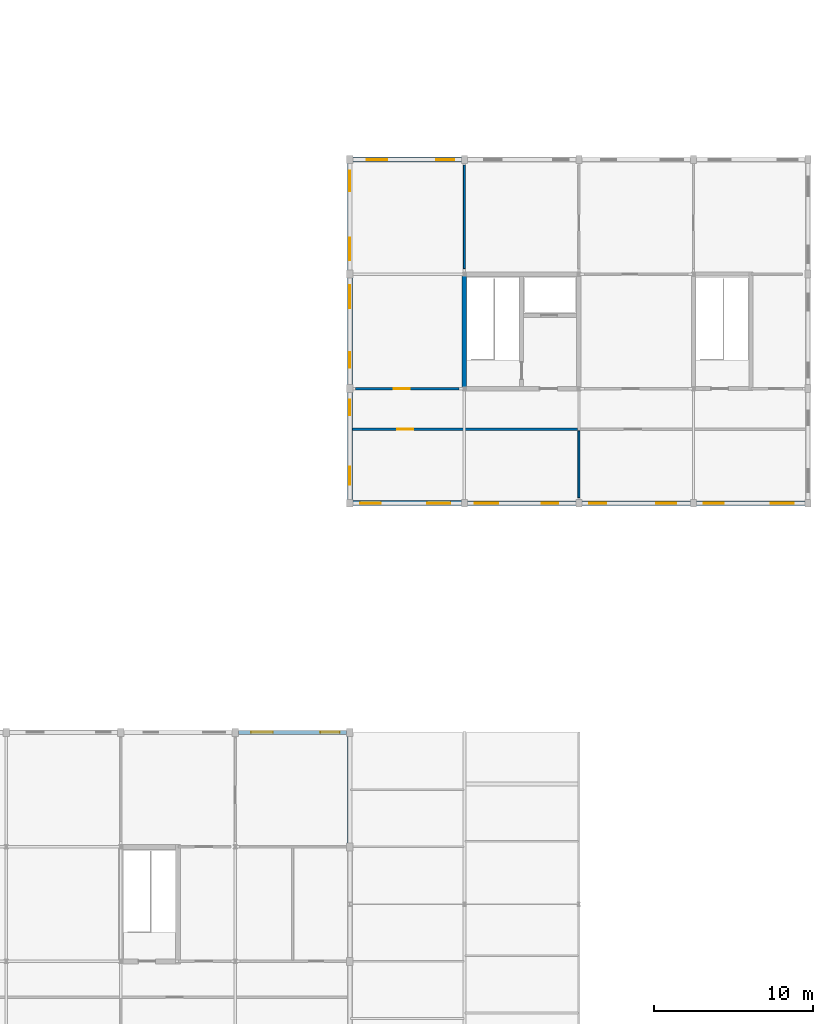
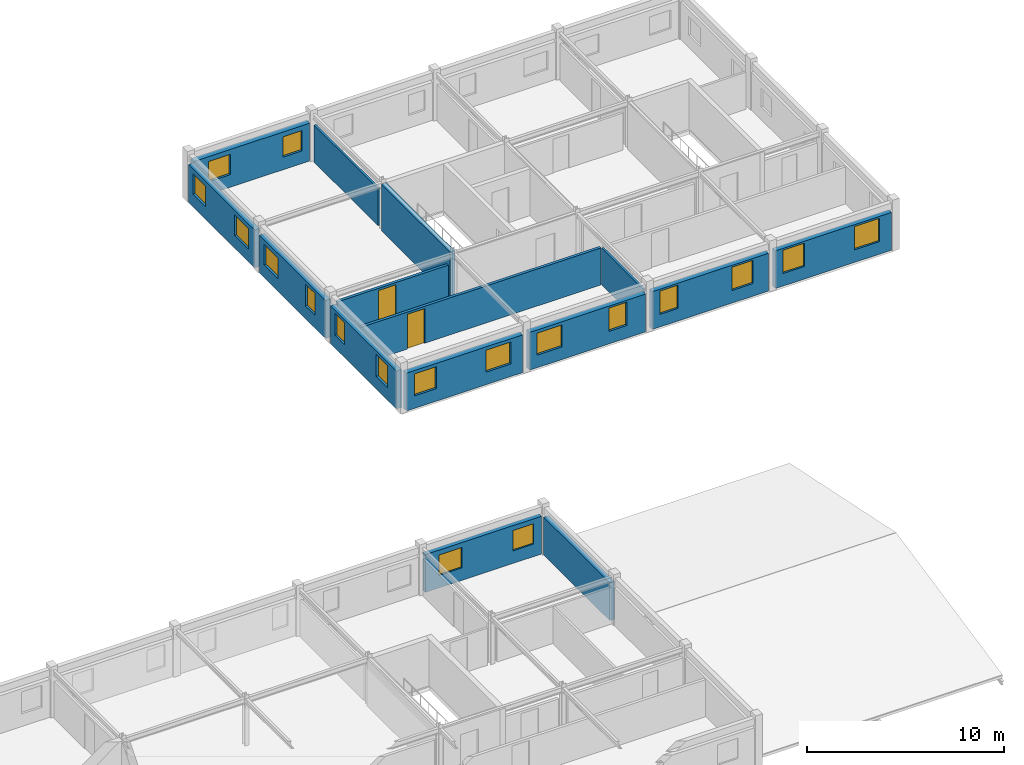
# One storey, part 22 of 50: 18 windows, 15 walls, 2 doors, 20 openings.
"""IFC4 building model written with IfcOpenShell, lengths in metres."""

from ifc_helpers import new_model, si_unit, direction, frame, frame_2d, origin, place, context, subcontext, project, spatial, rectangle, extrude, material, layer, layer_set, type_object, element, fill, save


model = new_model("IFC4")

# Units and contexts
model_context = context("Model", 3, precision=1e-05, world=origin(), true_north=direction((0.0, 1.0)))
body_context = subcontext(model_context, "Body", "Model", "MODEL_VIEW")
ifc_project = project(units=[si_unit("LENGTHUNIT", "METRE"), si_unit("AREAUNIT", "SQUARE_METRE"), si_unit("VOLUMEUNIT", "CUBIC_METRE"), si_unit("PLANEANGLEUNIT", "RADIAN"), si_unit("MASSUNIT", "GRAM", prefix="KILO"), si_unit("THERMODYNAMICTEMPERATUREUNIT", "KELVIN"), si_unit("POWERUNIT", "WATT")], contexts=[model_context])

# Site, building, storey
site_placement = place(None, origin())
site = spatial("IfcSite", under=ifc_project, at=site_placement, CompositionType="ELEMENT")
building_placement = place(site_placement, origin())
building = spatial("IfcBuilding", under=site, at=building_placement, Name="Tavuni Mirador Residences", CompositionType="ELEMENT")
storey_placement = place(building_placement, frame((0.0, 0.0, 4.5)))
storey = spatial("IfcBuildingStorey", under=building, at=storey_placement, Name="L01", CompositionType="ELEMENT", Elevation=4.5)

# Wall
ifc_material_1 = material(Name="Precast concrete C40/50", Category="concrete")
ifc_layer_1 = layer(ifc_material_1, 0.280029296875, Name="Precast concrete C40/50", Category="concrete")
ifc_layer_set_1 = layer_set([ifc_layer_1], Name="Precast concrete C40/50")
wall_type_1 = type_object("IfcWallType", Name="WT-COR280", PredefinedType="SHEAR", material=ifc_layer_set_1)
wall_1_placement = place(storey_placement, frame((97.199951171875, 50.52001953125, 0.0), z_axis=(0.0, 0.0, 1.0), x_axis=(0.0, 1.0, 0.0)))
element("IfcWall", 1, at=wall_1_placement, inside=storey, type_object=wall_type_1, Name="CWALL-CN1-L01-W", PredefinedType="SHEAR", context=body_context, shape_type="SweptSolid", body=[
    extrude(rectangle(XDim=6.9599609375, YDim=0.280029296875, at=frame_2d((3.47998046875, 0.0))), origin(), (0.0, 0.0, 1.0), 2.889892578125),
])

# Wall, opening, door
ifc_layer_2 = layer(ifc_material_1, 0.1650390625, Name="Precast concrete C40/50", Category="concrete")
ifc_layer_set_2 = layer_set([ifc_layer_2], Name="Precast concrete C40/50")
wall_type_2 = type_object("IfcWallType", Name="WT-CORR165", PredefinedType="PARTITIONING", material=ifc_layer_set_2)
wall_2_placement = place(storey_placement, frame((90.175048828125, 47.85009765625, 0.0), z_axis=(0.0, 0.0, 1.0), x_axis=(1.0, 0.0, 0.0)))
wall_2 = element("IfcWall", 2, at=wall_2_placement, inside=storey, type_object=wall_type_2, Name="PW-NURS-L01-CS1", PredefinedType="PARTITIONING", context=body_context, shape_type="SweptSolid", body=[
    extrude(rectangle(XDim=14.14501953125, YDim=0.1650390625, at=frame_2d((7.072509765625, 0.0))), origin(), (0.0, 0.0, 1.0), 2.2900390625),
])
opening_1_placement = place(wall_2_placement, frame((2.800048828125, 0.0, 0.0)))
opening_1 = element("IfcOpeningElement", 3, at=opening_1_placement, cuts=wall_2, Name="Opening D-13", PredefinedType="OPENING", context=body_context, shape_type="SweptSolid", body=[
    extrude(rectangle(XDim=1.02001953125, YDim=2.14990234375, at=frame_2d((0.510009765625, 1.074951171875))), frame((0.0, 0.092529296875, 0.0), z_axis=(0.0, -1.0, 0.0), x_axis=(1.0, 0.0, 0.0)), (0.0, 0.0, 1.0), 0.18505859375),
])
ifc_material_2 = material(Name="Solid core iroko timber", Category="wood")
door_type = type_object("IfcDoorType", Name="DT-MTG1020", OperationType="NOTDEFINED", PredefinedType="DOOR", material=ifc_material_2)
door_1_placement = place(opening_1_placement, origin())
door_1 = element("IfcDoor", 4, at=door_1_placement, inside=storey, type_object=door_type, Name="DR-4803", OperationType="SINGLE_SWING_RIGHT", OverallHeight=2.14990234375, OverallWidth=1.02001953125, PredefinedType="DOOR", context=body_context, shape_type="SweptSolid", body=[
    extrude(rectangle(XDim=1.02001953125, YDim=2.14990234375, at=frame_2d((0.510009765625, 1.074951171875))), frame((0.0, 0.02490234375, 0.0), z_axis=(0.0, -1.0, 0.0), x_axis=(1.0, 0.0, 0.0)), (0.0, 0.0, 1.0), 0.050048828125),
])
fill(opening_1, door_1)

wall_3_placement = place(storey_placement, frame((90.35009765625, 50.39990234375, 0.0), z_axis=(0.0, 0.0, 1.0), x_axis=(1.0, 0.0, 0.0)))
wall_3 = element("IfcWall", 5, at=wall_3_placement, inside=storey, type_object=wall_type_2, Name="PW-NURS-L01-CN1", PredefinedType="PARTITIONING", context=body_context, shape_type="SweptSolid", body=[
    extrude(rectangle(XDim=6.5, YDim=0.1650390625, at=frame_2d((3.25, 0.0))), origin(), (0.0, 0.0, 1.0), 2.2900390625),
])
opening_2_placement = place(wall_3_placement, frame((2.39990234375, 0.0, 0.0)))
opening_2 = element("IfcOpeningElement", 6, at=opening_2_placement, cuts=wall_3, Name="Opening D-13", PredefinedType="OPENING", context=body_context, shape_type="SweptSolid", body=[
    extrude(rectangle(XDim=1.02001953125, YDim=2.14990234375, at=frame_2d((0.510009765625, 1.074951171875))), frame((0.0, 0.092529296875, 0.0), z_axis=(0.0, -1.0, 0.0), x_axis=(1.0, 0.0, 0.0)), (0.0, 0.0, 1.0), 0.18505859375),
])
door_2_placement = place(opening_2_placement, origin())
door_2 = element("IfcDoor", 7, at=door_2_placement, inside=storey, type_object=door_type, Name="DR-4805", OperationType="SINGLE_SWING_RIGHT", OverallHeight=2.14990234375, OverallWidth=1.02001953125, PredefinedType="DOOR", context=body_context, shape_type="SweptSolid", body=[
    extrude(rectangle(XDim=1.02001953125, YDim=2.14990234375, at=frame_2d((0.510009765625, 1.074951171875))), frame((0.0, 0.02490234375, 0.0), z_axis=(0.0, -1.0, 0.0), x_axis=(1.0, 0.0, 0.0)), (0.0, 0.0, 1.0), 0.050048828125),
])
fill(opening_2, door_2)

# Wall, openings, windows
ifc_material_3 = material(Name="Sgraffito lime-rendered precast concrete C40/50", Category="concrete")
ifc_layer_3 = layer(ifc_material_3, 0.2451171875, Name="Sgraffito lime-rendered precast concrete C40/50", Category="concrete")
ifc_layer_set_3 = layer_set([ifc_layer_3], Name="Sgraffito lime-rendered precast concrete C40/50")
wall_type_3 = type_object("IfcWallType", Name="WT-EXT-PC245", PredefinedType="SOLIDWALL", material=ifc_layer_set_3)
wall_4_placement = place(storey_placement, frame((89.800048828125, 28.800048828125, 0.0), z_axis=(0.0, 0.0, 1.0), x_axis=(-1.0, 0.0, 0.0)))
wall_4 = element("IfcWall", 8, at=wall_4_placement, inside=storey, type_object=wall_type_3, Name="EW-PAV-SHOP-L01-N05", PredefinedType="SOLIDWALL", context=body_context, shape_type="SweptSolid", body=[
    extrude(rectangle(XDim=6.800048828125, YDim=0.2451171875, at=frame_2d((3.39990234375, 0.0))), origin(), (0.0, 0.0, 1.0), 2.340087890625),
])
opening_3_placement = place(wall_4_placement, frame((0.449951171875, 0.0, 0.780029296875)))
opening_3 = element("IfcOpeningElement", 9, at=opening_3_placement, cuts=wall_4, Name="Opening WN-13", PredefinedType="OPENING", context=body_context, shape_type="SweptSolid", body=[
    extrude(rectangle(XDim=1.199951171875, YDim=1.260009765625, at=frame_2d((0.60009765625, 0.6298828125))), frame((0.0, 0.132568359375, 0.0), z_axis=(0.0, -1.0, 0.0), x_axis=(1.0, 0.0, 0.0)), (0.0, 0.0, 1.0), 0.26513671875),
])
opening_4_placement = place(wall_4_placement, frame((4.64990234375, 0.0, 0.780029296875)))
opening_4 = element("IfcOpeningElement", 10, at=opening_4_placement, cuts=wall_4, Name="Opening WN-15", PredefinedType="OPENING", context=body_context, shape_type="SweptSolid", body=[
    extrude(rectangle(XDim=1.360107421875, YDim=1.260009765625, at=frame_2d((0.68017578125, 0.6298828125))), frame((0.0, 0.132568359375, 0.0), z_axis=(0.0, -1.0, 0.0), x_axis=(1.0, 0.0, 0.0)), (0.0, 0.0, 1.0), 0.26513671875),
])
ifc_material_4 = material(Name="Laminated solar-control glass", Category="glass")
window_type_1 = type_object("IfcWindowType", Name="WNT-13", PartitioningType="SINGLE_PANEL", PredefinedType="WINDOW", material=ifc_material_4)
window_1_placement = place(opening_3_placement, origin())
window_1 = element("IfcWindow", 11, at=window_1_placement, inside=storey, type_object=window_type_1, Name="WIN-1901", OverallHeight=1.260009765625, OverallWidth=1.199951171875, PartitioningType="SINGLE_PANEL", PredefinedType="WINDOW", context=body_context, shape_type="SweptSolid", body=[
    extrude(rectangle(XDim=1.199951171875, YDim=1.260009765625, at=frame_2d((0.60009765625, 0.6298828125))), frame((0.0, 0.030029296875, 0.0), z_axis=(0.0, -1.0, 0.0), x_axis=(1.0, 0.0, 0.0)), (0.0, 0.0, 1.0), 0.06005859375),
])
fill(opening_3, window_1)
window_type_2 = type_object("IfcWindowType", Name="WNT-15", PartitioningType="SINGLE_PANEL", PredefinedType="WINDOW", material=ifc_material_4)
window_2_placement = place(opening_4_placement, origin())
window_2 = element("IfcWindow", 12, at=window_2_placement, inside=storey, type_object=window_type_2, Name="WIN-1902", OverallHeight=1.260009765625, OverallWidth=1.360107421875, PartitioningType="SINGLE_PANEL", PredefinedType="WINDOW", context=body_context, shape_type="SweptSolid", body=[
    extrude(rectangle(XDim=1.360107421875, YDim=1.260009765625, at=frame_2d((0.68017578125, 0.6298828125))), frame((0.0, 0.030029296875, 0.0), z_axis=(0.0, -1.0, 0.0), x_axis=(1.0, 0.0, 0.0)), (0.0, 0.0, 1.0), 0.06005859375),
])
fill(opening_4, window_2)

ifc_layer_4 = layer(ifc_material_3, 0.27490234375, Name="Sgraffito lime-rendered precast concrete C40/50", Category="concrete")
ifc_layer_set_4 = layer_set([ifc_layer_4], Name="Sgraffito lime-rendered precast concrete C40/50")
wall_type_4 = type_object("IfcWallType", Name="WT-EXT-PC275", PredefinedType="SOLIDWALL", material=ifc_layer_set_4)
wall_5_placement = place(storey_placement, frame((111.800048828125, 43.199951171875, 0.0), z_axis=(0.0, 0.0, 1.0), x_axis=(1.0, 0.0, 0.0)))
wall_5 = element("IfcWall", 13, at=wall_5_placement, inside=storey, type_object=wall_type_4, Name="EW-PAV-NURS-L01-S03", PredefinedType="SOLIDWALL", context=body_context, shape_type="SweptSolid", body=[
    extrude(rectangle(XDim=6.800048828125, YDim=0.27490234375, at=frame_2d((3.39990234375, 0.0))), origin(), (0.0, 0.0, 1.0), 2.340087890625),
])
opening_5_placement = place(wall_5_placement, frame((0.449951171875, 0.0, 0.780029296875)))
opening_5 = element("IfcOpeningElement", 14, at=opening_5_placement, cuts=wall_5, Name="Opening WN-28", PredefinedType="OPENING", context=body_context, shape_type="SweptSolid", body=[
    extrude(rectangle(XDim=1.25, YDim=1.43994140625, at=frame_2d((0.625, 0.719970703125))), frame((0.0, 0.1474609375, 0.0), z_axis=(0.0, -1.0, 0.0), x_axis=(1.0, 0.0, 0.0)), (0.0, 0.0, 1.0), 0.294921875),
])
opening_6_placement = place(wall_5_placement, frame((4.64990234375, 0.0, 0.780029296875)))
opening_6 = element("IfcOpeningElement", 15, at=opening_6_placement, cuts=wall_5, Name="Opening WN-30", PredefinedType="OPENING", context=body_context, shape_type="SweptSolid", body=[
    extrude(rectangle(XDim=1.449951171875, YDim=1.43994140625, at=frame_2d((0.72509765625, 0.719970703125))), frame((0.0, 0.1474609375, 0.0), z_axis=(0.0, -1.0, 0.0), x_axis=(1.0, 0.0, 0.0)), (0.0, 0.0, 1.0), 0.294921875),
])
window_type_3 = type_object("IfcWindowType", Name="WNT-28", PartitioningType="SINGLE_PANEL", PredefinedType="WINDOW", material=ifc_material_4)
window_3_placement = place(opening_5_placement, origin())
window_3 = element("IfcWindow", 16, at=window_3_placement, inside=storey, type_object=window_type_3, Name="WIN-1856", OverallHeight=1.43994140625, OverallWidth=1.25, PartitioningType="SINGLE_PANEL", PredefinedType="WINDOW", context=body_context, shape_type="SweptSolid", body=[
    extrude(rectangle(XDim=1.25, YDim=1.43994140625, at=frame_2d((0.625, 0.719970703125))), frame((0.0, 0.030029296875, 0.0), z_axis=(0.0, -1.0, 0.0), x_axis=(1.0, 0.0, 0.0)), (0.0, 0.0, 1.0), 0.06005859375),
])
fill(opening_5, window_3)
window_type_4 = type_object("IfcWindowType", Name="WNT-30", PartitioningType="SINGLE_PANEL", PredefinedType="WINDOW", material=ifc_material_4)
window_4_placement = place(opening_6_placement, origin())
window_4 = element("IfcWindow", 17, at=window_4_placement, inside=storey, type_object=window_type_4, Name="WIN-1857", OverallHeight=1.43994140625, OverallWidth=1.449951171875, PartitioningType="SINGLE_PANEL", PredefinedType="WINDOW", context=body_context, shape_type="SweptSolid", body=[
    extrude(rectangle(XDim=1.449951171875, YDim=1.43994140625, at=frame_2d((0.72509765625, 0.719970703125))), frame((0.0, 0.030029296875, 0.0), z_axis=(0.0, -1.0, 0.0), x_axis=(1.0, 0.0, 0.0)), (0.0, 0.0, 1.0), 0.06005859375),
])
fill(opening_6, window_4)

ifc_layer_5 = layer(ifc_material_3, 0.2900390625, Name="Sgraffito lime-rendered precast concrete C40/50", Category="concrete")
ifc_layer_set_5 = layer_set([ifc_layer_5], Name="Sgraffito lime-rendered precast concrete C40/50")
wall_type_5 = type_object("IfcWallType", Name="WT-EXT-PC290", PredefinedType="SOLIDWALL", material=ifc_layer_set_5)
wall_6_placement = place(storey_placement, frame((104.60009765625, 43.199951171875, 0.0), z_axis=(0.0, 0.0, 1.0), x_axis=(1.0, 0.0, 0.0)))
wall_6 = element("IfcWall", 18, at=wall_6_placement, inside=storey, type_object=wall_type_5, Name="EW-PAV-NURS-L01-S02", PredefinedType="SOLIDWALL", context=body_context, shape_type="SweptSolid", body=[
    extrude(rectangle(XDim=6.7998046875, YDim=0.2900390625, at=frame_2d((3.39990234375, 0.0))), origin(), (0.0, 0.0, 1.0), 2.340087890625),
])
opening_7_placement = place(wall_6_placement, frame((0.449951171875, 0.0, 0.780029296875)))
opening_7 = element("IfcOpeningElement", 19, at=opening_7_placement, cuts=wall_6, Name="Opening WN-26", PredefinedType="OPENING", context=body_context, shape_type="SweptSolid", body=[
    extrude(rectangle(XDim=1.050048828125, YDim=1.43994140625, at=frame_2d((0.52490234375, 0.719970703125))), frame((0.0, 0.155029296875, 0.0), z_axis=(0.0, -1.0, 0.0), x_axis=(1.0, 0.0, 0.0)), (0.0, 0.0, 1.0), 0.31005859375),
])
opening_8_placement = place(wall_6_placement, frame((4.64990234375, 0.0, 0.780029296875)))
opening_8 = element("IfcOpeningElement", 20, at=opening_8_placement, cuts=wall_6, Name="Opening WN-28", PredefinedType="OPENING", context=body_context, shape_type="SweptSolid", body=[
    extrude(rectangle(XDim=1.25, YDim=1.43994140625, at=frame_2d((0.625, 0.719970703125))), frame((0.0, 0.155029296875, 0.0), z_axis=(0.0, -1.0, 0.0), x_axis=(1.0, 0.0, 0.0)), (0.0, 0.0, 1.0), 0.31005859375),
])
window_type_5 = type_object("IfcWindowType", Name="WNT-26", PartitioningType="SINGLE_PANEL", PredefinedType="WINDOW", material=ifc_material_4)
window_5_placement = place(opening_7_placement, origin())
window_5 = element("IfcWindow", 21, at=window_5_placement, inside=storey, type_object=window_type_5, Name="WIN-1854", OverallHeight=1.43994140625, OverallWidth=1.050048828125, PartitioningType="SINGLE_PANEL", PredefinedType="WINDOW", context=body_context, shape_type="SweptSolid", body=[
    extrude(rectangle(XDim=1.050048828125, YDim=1.43994140625, at=frame_2d((0.52490234375, 0.719970703125))), frame((0.0, 0.030029296875, 0.0), z_axis=(0.0, -1.0, 0.0), x_axis=(1.0, 0.0, 0.0)), (0.0, 0.0, 1.0), 0.06005859375),
])
fill(opening_7, window_5)
window_6_placement = place(opening_8_placement, origin())
window_6 = element("IfcWindow", 22, at=window_6_placement, inside=storey, type_object=window_type_3, Name="WIN-1855", OverallHeight=1.43994140625, OverallWidth=1.25, PartitioningType="SINGLE_PANEL", PredefinedType="WINDOW", context=body_context, shape_type="SweptSolid", body=[
    extrude(rectangle(XDim=1.25, YDim=1.43994140625, at=frame_2d((0.625, 0.719970703125))), frame((0.0, 0.030029296875, 0.0), z_axis=(0.0, -1.0, 0.0), x_axis=(1.0, 0.0, 0.0)), (0.0, 0.0, 1.0), 0.06005859375),
])
fill(opening_8, window_6)

wall_7_placement = place(storey_placement, frame((90.0, 64.550048828125, 0.0), z_axis=(0.0, 0.0, 1.0), x_axis=(0.0, -1.0, 0.0)))
wall_7 = element("IfcWall", 23, at=wall_7_placement, inside=storey, type_object=wall_type_5, Name="EW-PAV-NURS-L01-W02", PredefinedType="SOLIDWALL", context=body_context, shape_type="SweptSolid", body=[
    extrude(rectangle(XDim=6.699951171875, YDim=0.2900390625, at=frame_2d((3.35009765625, 0.0))), origin(), (0.0, 0.0, 1.0), 2.340087890625),
])
opening_9_placement = place(wall_7_placement, frame((0.449951171875, 0.0, 0.780029296875)))
opening_9 = element("IfcOpeningElement", 24, at=opening_9_placement, cuts=wall_7, Name="Opening WN-14", PredefinedType="OPENING", context=body_context, shape_type="SweptSolid", body=[
    extrude(rectangle(XDim=1.280029296875, YDim=1.260009765625, at=frame_2d((0.64013671875, 0.6298828125))), frame((0.0, 0.155029296875, 0.0), z_axis=(0.0, -1.0, 0.0), x_axis=(1.0, 0.0, 0.0)), (0.0, 0.0, 1.0), 0.31005859375),
])
opening_10_placement = place(wall_7_placement, frame((4.64990234375, 0.0, 0.780029296875)))
opening_10 = element("IfcOpeningElement", 25, at=opening_10_placement, cuts=wall_7, Name="Opening WN-16", PredefinedType="OPENING", context=body_context, shape_type="SweptSolid", body=[
    extrude(rectangle(XDim=1.43994140625, YDim=1.260009765625, at=frame_2d((0.719970703125, 0.6298828125))), frame((0.0, 0.155029296875, 0.0), z_axis=(0.0, -1.0, 0.0), x_axis=(1.0, 0.0, 0.0)), (0.0, 0.0, 1.0), 0.31005859375),
])
window_type_6 = type_object("IfcWindowType", Name="WNT-14", PartitioningType="SINGLE_PANEL", PredefinedType="WINDOW", material=ifc_material_4)
window_7_placement = place(opening_9_placement, origin())
window_7 = element("IfcWindow", 26, at=window_7_placement, inside=storey, type_object=window_type_6, Name="WIN-1872", OverallHeight=1.260009765625, OverallWidth=1.280029296875, PartitioningType="SINGLE_PANEL", PredefinedType="WINDOW", context=body_context, shape_type="SweptSolid", body=[
    extrude(rectangle(XDim=1.280029296875, YDim=1.260009765625, at=frame_2d((0.64013671875, 0.6298828125))), frame((0.0, 0.030029296875, 0.0), z_axis=(0.0, -1.0, 0.0), x_axis=(1.0, 0.0, 0.0)), (0.0, 0.0, 1.0), 0.06005859375),
])
fill(opening_9, window_7)
window_type_7 = type_object("IfcWindowType", Name="WNT-16", PartitioningType="SINGLE_PANEL", PredefinedType="WINDOW", material=ifc_material_4)
window_8_placement = place(opening_10_placement, origin())
window_8 = element("IfcWindow", 27, at=window_8_placement, inside=storey, type_object=window_type_7, Name="WIN-1873", OverallHeight=1.260009765625, OverallWidth=1.43994140625, PartitioningType="SINGLE_PANEL", PredefinedType="WINDOW", context=body_context, shape_type="SweptSolid", body=[
    extrude(rectangle(XDim=1.43994140625, YDim=1.260009765625, at=frame_2d((0.719970703125, 0.6298828125))), frame((0.0, 0.030029296875, 0.0), z_axis=(0.0, -1.0, 0.0), x_axis=(1.0, 0.0, 0.0)), (0.0, 0.0, 1.0), 0.06005859375),
])
fill(opening_10, window_8)

# Wall
wall_8_placement = place(storey_placement, frame((90.0, 21.85009765625, 0.0), z_axis=(0.0, 0.0, 1.0), x_axis=(0.0, 1.0, 0.0)))
element("IfcWall", 28, at=wall_8_placement, inside=storey, type_object=wall_type_5, Name="EW-PAV-SHOP-L01-E02", PredefinedType="SOLIDWALL", context=body_context, shape_type="SweptSolid", body=[
    extrude(rectangle(XDim=6.699951171875, YDim=0.2900390625, at=frame_2d((3.35009765625, 0.0))), origin(), (0.0, 0.0, 1.0), 2.340087890625),
])

# Wall, openings, windows
ifc_layer_6 = layer(ifc_material_3, 0.304931640625, Name="Sgraffito lime-rendered precast concrete C40/50", Category="concrete")
ifc_layer_set_6 = layer_set([ifc_layer_6], Name="Sgraffito lime-rendered precast concrete C40/50")
wall_type_6 = type_object("IfcWallType", Name="WT-EXT-PC305", PredefinedType="SOLIDWALL", material=ifc_layer_set_6)
wall_9_placement = place(storey_placement, frame((97.39990234375, 43.199951171875, 0.0), z_axis=(0.0, 0.0, 1.0), x_axis=(1.0, 0.0, 0.0)))
wall_9 = element("IfcWall", 29, at=wall_9_placement, inside=storey, type_object=wall_type_6, Name="EW-PAV-NURS-L01-S01", PredefinedType="SOLIDWALL", context=body_context, shape_type="SweptSolid", body=[
    extrude(rectangle(XDim=6.800048828125, YDim=0.304931640625, at=frame_2d((3.39990234375, 0.0))), origin(), (0.0, 0.0, 1.0), 2.340087890625),
])
opening_11_placement = place(wall_9_placement, frame((0.449951171875, 0.0, 0.780029296875)))
opening_11 = element("IfcOpeningElement", 30, at=opening_11_placement, cuts=wall_9, Name="Opening WN-24", PredefinedType="OPENING", context=body_context, shape_type="SweptSolid", body=[
    extrude(rectangle(XDim=1.4599609375, YDim=1.360107421875, at=frame_2d((0.72998046875, 0.68017578125))), frame((0.0, 0.16259765625, 0.0), z_axis=(0.0, -1.0, 0.0), x_axis=(1.0, 0.0, 0.0)), (0.0, 0.0, 1.0), 0.324951171875),
])
opening_12_placement = place(wall_9_placement, frame((4.64990234375, 0.0, 0.780029296875)))
opening_12 = element("IfcOpeningElement", 31, at=opening_12_placement, cuts=wall_9, Name="Opening WN-26", PredefinedType="OPENING", context=body_context, shape_type="SweptSolid", body=[
    extrude(rectangle(XDim=1.050048828125, YDim=1.43994140625, at=frame_2d((0.52490234375, 0.719970703125))), frame((0.0, 0.16259765625, 0.0), z_axis=(0.0, -1.0, 0.0), x_axis=(1.0, 0.0, 0.0)), (0.0, 0.0, 1.0), 0.324951171875),
])
window_type_8 = type_object("IfcWindowType", Name="WNT-24", PartitioningType="SINGLE_PANEL", PredefinedType="WINDOW", material=ifc_material_4)
window_9_placement = place(opening_11_placement, origin())
window_9 = element("IfcWindow", 32, at=window_9_placement, inside=storey, type_object=window_type_8, Name="WIN-1852", OverallHeight=1.360107421875, OverallWidth=1.4599609375, PartitioningType="SINGLE_PANEL", PredefinedType="WINDOW", context=body_context, shape_type="SweptSolid", body=[
    extrude(rectangle(XDim=1.4599609375, YDim=1.360107421875, at=frame_2d((0.72998046875, 0.68017578125))), frame((0.0, 0.030029296875, 0.0), z_axis=(0.0, -1.0, 0.0), x_axis=(1.0, 0.0, 0.0)), (0.0, 0.0, 1.0), 0.06005859375),
])
fill(opening_11, window_9)
window_10_placement = place(opening_12_placement, origin())
window_10 = element("IfcWindow", 33, at=window_10_placement, inside=storey, type_object=window_type_5, Name="WIN-1853", OverallHeight=1.43994140625, OverallWidth=1.050048828125, PartitioningType="SINGLE_PANEL", PredefinedType="WINDOW", context=body_context, shape_type="SweptSolid", body=[
    extrude(rectangle(XDim=1.050048828125, YDim=1.43994140625, at=frame_2d((0.52490234375, 0.719970703125))), frame((0.0, 0.030029296875, 0.0), z_axis=(0.0, -1.0, 0.0), x_axis=(1.0, 0.0, 0.0)), (0.0, 0.0, 1.0), 0.06005859375),
])
fill(opening_12, window_10)

wall_10_placement = place(storey_placement, frame((90.0, 57.35009765625, 0.0), z_axis=(0.0, 0.0, 1.0), x_axis=(0.0, -1.0, 0.0)))
wall_10 = element("IfcWall", 34, at=wall_10_placement, inside=storey, type_object=wall_type_6, Name="EW-PAV-NURS-L01-W01", PredefinedType="SOLIDWALL", context=body_context, shape_type="SweptSolid", body=[
    extrude(rectangle(XDim=6.7001953125, YDim=0.304931640625, at=frame_2d((3.35009765625, 0.0))), origin(), (0.0, 0.0, 1.0), 2.340087890625),
])
opening_13_placement = place(wall_10_placement, frame((0.449951171875, 0.0, 0.780029296875)))
opening_13 = element("IfcOpeningElement", 35, at=opening_13_placement, cuts=wall_10, Name="Opening WN-16", PredefinedType="OPENING", context=body_context, shape_type="SweptSolid", body=[
    extrude(rectangle(XDim=1.43994140625, YDim=1.260009765625, at=frame_2d((0.719970703125, 0.6298828125))), frame((0.0, 0.16259765625, 0.0), z_axis=(0.0, -1.0, 0.0), x_axis=(1.0, 0.0, 0.0)), (0.0, 0.0, 1.0), 0.324951171875),
])
opening_14_placement = place(wall_10_placement, frame((4.64990234375, 0.0, 0.780029296875)))
opening_14 = element("IfcOpeningElement", 36, at=opening_14_placement, cuts=wall_10, Name="Opening WN-18", PredefinedType="OPENING", context=body_context, shape_type="SweptSolid", body=[
    extrude(rectangle(XDim=0.97998046875, YDim=1.360107421875, at=frame_2d((0.489990234375, 0.68017578125))), frame((0.0, 0.16259765625, 0.0), z_axis=(0.0, -1.0, 0.0), x_axis=(1.0, 0.0, 0.0)), (0.0, 0.0, 1.0), 0.324951171875),
])
window_11_placement = place(opening_13_placement, origin())
window_11 = element("IfcWindow", 37, at=window_11_placement, inside=storey, type_object=window_type_7, Name="WIN-1874", OverallHeight=1.260009765625, OverallWidth=1.43994140625, PartitioningType="SINGLE_PANEL", PredefinedType="WINDOW", context=body_context, shape_type="SweptSolid", body=[
    extrude(rectangle(XDim=1.43994140625, YDim=1.260009765625, at=frame_2d((0.719970703125, 0.6298828125))), frame((0.0, 0.030029296875, 0.0), z_axis=(0.0, -1.0, 0.0), x_axis=(1.0, 0.0, 0.0)), (0.0, 0.0, 1.0), 0.06005859375),
])
fill(opening_13, window_11)
window_type_9 = type_object("IfcWindowType", Name="WNT-18", PartitioningType="SINGLE_PANEL", PredefinedType="WINDOW", material=ifc_material_4)
window_12_placement = place(opening_14_placement, origin())
window_12 = element("IfcWindow", 38, at=window_12_placement, inside=storey, type_object=window_type_9, Name="WIN-1875", OverallHeight=1.360107421875, OverallWidth=0.97998046875, PartitioningType="SINGLE_PANEL", PredefinedType="WINDOW", context=body_context, shape_type="SweptSolid", body=[
    extrude(rectangle(XDim=0.97998046875, YDim=1.360107421875, at=frame_2d((0.489990234375, 0.68017578125))), frame((0.0, 0.030029296875, 0.0), z_axis=(0.0, -1.0, 0.0), x_axis=(1.0, 0.0, 0.0)), (0.0, 0.0, 1.0), 0.06005859375),
])
fill(opening_14, window_12)

ifc_layer_7 = layer(ifc_material_3, 0.31494140625, Name="Sgraffito lime-rendered precast concrete C40/50", Category="concrete")
ifc_layer_set_7 = layer_set([ifc_layer_7], Name="Sgraffito lime-rendered precast concrete C40/50")
wall_type_7 = type_object("IfcWallType", Name="WT-EXT-PC315", PredefinedType="SOLIDWALL", material=ifc_layer_set_7)
wall_11_placement = place(storey_placement, frame((90.199951171875, 43.199951171875, 0.0), z_axis=(0.0, 0.0, 1.0), x_axis=(1.0, 0.0, 0.0)))
wall_11 = element("IfcWall", 39, at=wall_11_placement, inside=storey, type_object=wall_type_7, Name="EW-PAV-NURS-L01-S00", PredefinedType="SOLIDWALL", context=body_context, shape_type="SweptSolid", body=[
    extrude(rectangle(XDim=6.800048828125, YDim=0.31494140625, at=frame_2d((3.39990234375, 0.0))), origin(), (0.0, 0.0, 1.0), 2.340087890625),
])
opening_15_placement = place(wall_11_placement, frame((0.449951171875, 0.0, 0.780029296875)))
opening_15 = element("IfcOpeningElement", 40, at=opening_15_placement, cuts=wall_11, Name="Opening WN-22", PredefinedType="OPENING", context=body_context, shape_type="SweptSolid", body=[
    extrude(rectangle(XDim=1.300048828125, YDim=1.360107421875, at=frame_2d((0.64990234375, 0.68017578125))), frame((0.0, 0.16748046875, 0.0), z_axis=(0.0, -1.0, 0.0), x_axis=(1.0, 0.0, 0.0)), (0.0, 0.0, 1.0), 0.3349609375),
])
opening_16_placement = place(wall_11_placement, frame((4.64990234375, 0.0, 0.780029296875)))
opening_16 = element("IfcOpeningElement", 41, at=opening_16_placement, cuts=wall_11, Name="Opening WN-24", PredefinedType="OPENING", context=body_context, shape_type="SweptSolid", body=[
    extrude(rectangle(XDim=1.4599609375, YDim=1.360107421875, at=frame_2d((0.72998046875, 0.68017578125))), frame((0.0, 0.16748046875, 0.0), z_axis=(0.0, -1.0, 0.0), x_axis=(1.0, 0.0, 0.0)), (0.0, 0.0, 1.0), 0.3349609375),
])
window_type_10 = type_object("IfcWindowType", Name="WNT-22", PartitioningType="SINGLE_PANEL", PredefinedType="WINDOW", material=ifc_material_4)
window_13_placement = place(opening_15_placement, origin())
window_13 = element("IfcWindow", 42, at=window_13_placement, inside=storey, type_object=window_type_10, Name="WIN-1850", OverallHeight=1.360107421875, OverallWidth=1.300048828125, PartitioningType="SINGLE_PANEL", PredefinedType="WINDOW", context=body_context, shape_type="SweptSolid", body=[
    extrude(rectangle(XDim=1.300048828125, YDim=1.360107421875, at=frame_2d((0.64990234375, 0.68017578125))), frame((0.0, 0.030029296875, 0.0), z_axis=(0.0, -1.0, 0.0), x_axis=(1.0, 0.0, 0.0)), (0.0, 0.0, 1.0), 0.06005859375),
])
fill(opening_15, window_13)
window_14_placement = place(opening_16_placement, origin())
window_14 = element("IfcWindow", 43, at=window_14_placement, inside=storey, type_object=window_type_8, Name="WIN-1851", OverallHeight=1.360107421875, OverallWidth=1.4599609375, PartitioningType="SINGLE_PANEL", PredefinedType="WINDOW", context=body_context, shape_type="SweptSolid", body=[
    extrude(rectangle(XDim=1.4599609375, YDim=1.360107421875, at=frame_2d((0.72998046875, 0.68017578125))), frame((0.0, 0.030029296875, 0.0), z_axis=(0.0, -1.0, 0.0), x_axis=(1.0, 0.0, 0.0)), (0.0, 0.0, 1.0), 0.06005859375),
])
fill(opening_16, window_14)

wall_12_placement = place(storey_placement, frame((97.0, 64.800048828125, 0.0), z_axis=(0.0, 0.0, 1.0), x_axis=(-1.0, 0.0, 0.0)))
wall_12 = element("IfcWall", 44, at=wall_12_placement, inside=storey, type_object=wall_type_7, Name="EW-PAV-NURS-L01-N00", PredefinedType="SOLIDWALL", context=body_context, shape_type="SweptSolid", body=[
    extrude(rectangle(XDim=6.800048828125, YDim=0.31494140625, at=frame_2d((3.39990234375, 0.0))), origin(), (0.0, 0.0, 1.0), 2.340087890625),
])
opening_17_placement = place(wall_12_placement, frame((0.449951171875, 0.0, 0.780029296875)))
opening_17 = element("IfcOpeningElement", 45, at=opening_17_placement, cuts=wall_12, Name="Opening WN-12", PredefinedType="OPENING", context=body_context, shape_type="SweptSolid", body=[
    extrude(rectangle(XDim=1.1201171875, YDim=1.260009765625, at=frame_2d((0.56005859375, 0.6298828125))), frame((0.0, 0.16748046875, 0.0), z_axis=(0.0, -1.0, 0.0), x_axis=(1.0, 0.0, 0.0)), (0.0, 0.0, 1.0), 0.3349609375),
])
opening_18_placement = place(wall_12_placement, frame((4.64990234375, 0.0, 0.780029296875)))
opening_18 = element("IfcOpeningElement", 46, at=opening_18_placement, cuts=wall_12, Name="Opening WN-14", PredefinedType="OPENING", context=body_context, shape_type="SweptSolid", body=[
    extrude(rectangle(XDim=1.280029296875, YDim=1.260009765625, at=frame_2d((0.64013671875, 0.6298828125))), frame((0.0, 0.16748046875, 0.0), z_axis=(0.0, -1.0, 0.0), x_axis=(1.0, 0.0, 0.0)), (0.0, 0.0, 1.0), 0.3349609375),
])
window_type_11 = type_object("IfcWindowType", Name="WNT-12", PartitioningType="SINGLE_PANEL", PredefinedType="WINDOW", material=ifc_material_4)
window_15_placement = place(opening_17_placement, origin())
window_15 = element("IfcWindow", 47, at=window_15_placement, inside=storey, type_object=window_type_11, Name="WIN-1870", OverallHeight=1.260009765625, OverallWidth=1.1201171875, PartitioningType="SINGLE_PANEL", PredefinedType="WINDOW", context=body_context, shape_type="SweptSolid", body=[
    extrude(rectangle(XDim=1.1201171875, YDim=1.260009765625, at=frame_2d((0.56005859375, 0.6298828125))), frame((0.0, 0.030029296875, 0.0), z_axis=(0.0, -1.0, 0.0), x_axis=(1.0, 0.0, 0.0)), (0.0, 0.0, 1.0), 0.06005859375),
])
fill(opening_17, window_15)
window_16_placement = place(opening_18_placement, origin())
window_16 = element("IfcWindow", 48, at=window_16_placement, inside=storey, type_object=window_type_6, Name="WIN-1871", OverallHeight=1.260009765625, OverallWidth=1.280029296875, PartitioningType="SINGLE_PANEL", PredefinedType="WINDOW", context=body_context, shape_type="SweptSolid", body=[
    extrude(rectangle(XDim=1.280029296875, YDim=1.260009765625, at=frame_2d((0.64013671875, 0.6298828125))), frame((0.0, 0.030029296875, 0.0), z_axis=(0.0, -1.0, 0.0), x_axis=(1.0, 0.0, 0.0)), (0.0, 0.0, 1.0), 0.06005859375),
])
fill(opening_18, window_16)

wall_13_placement = place(storey_placement, frame((90.0, 50.14990234375, 0.0), z_axis=(0.0, 0.0, 1.0), x_axis=(0.0, -1.0, 0.0)))
wall_13 = element("IfcWall", 49, at=wall_13_placement, inside=storey, type_object=wall_type_7, Name="EW-PAV-NURS-L01-W00", PredefinedType="SOLIDWALL", context=body_context, shape_type="SweptSolid", body=[
    extrude(rectangle(XDim=6.699951171875, YDim=0.31494140625, at=frame_2d((3.35009765625, 0.0))), origin(), (0.0, 0.0, 1.0), 2.340087890625),
])
opening_19_placement = place(wall_13_placement, frame((0.449951171875, 0.0, 0.780029296875)))
opening_19 = element("IfcOpeningElement", 50, at=opening_19_placement, cuts=wall_13, Name="Opening WN-18", PredefinedType="OPENING", context=body_context, shape_type="SweptSolid", body=[
    extrude(rectangle(XDim=0.97998046875, YDim=1.360107421875, at=frame_2d((0.489990234375, 0.68017578125))), frame((0.0, 0.16748046875, 0.0), z_axis=(0.0, -1.0, 0.0), x_axis=(1.0, 0.0, 0.0)), (0.0, 0.0, 1.0), 0.3349609375),
])
opening_20_placement = place(wall_13_placement, frame((4.64990234375, 0.0, 0.780029296875)))
opening_20 = element("IfcOpeningElement", 51, at=opening_20_placement, cuts=wall_13, Name="Opening WN-20", PredefinedType="OPENING", context=body_context, shape_type="SweptSolid", body=[
    extrude(rectangle(XDim=1.139892578125, YDim=1.360107421875, at=frame_2d((0.56982421875, 0.68017578125))), frame((0.0, 0.16748046875, 0.0), z_axis=(0.0, -1.0, 0.0), x_axis=(1.0, 0.0, 0.0)), (0.0, 0.0, 1.0), 0.3349609375),
])
window_17_placement = place(opening_19_placement, origin())
window_17 = element("IfcWindow", 52, at=window_17_placement, inside=storey, type_object=window_type_9, Name="WIN-1876", OverallHeight=1.360107421875, OverallWidth=0.97998046875, PartitioningType="SINGLE_PANEL", PredefinedType="WINDOW", context=body_context, shape_type="SweptSolid", body=[
    extrude(rectangle(XDim=0.97998046875, YDim=1.360107421875, at=frame_2d((0.489990234375, 0.68017578125))), frame((0.0, 0.030029296875, 0.0), z_axis=(0.0, -1.0, 0.0), x_axis=(1.0, 0.0, 0.0)), (0.0, 0.0, 1.0), 0.06005859375),
])
fill(opening_19, window_17)
window_type_12 = type_object("IfcWindowType", Name="WNT-20", PartitioningType="SINGLE_PANEL", PredefinedType="WINDOW", material=ifc_material_4)
window_18_placement = place(opening_20_placement, origin())
window_18 = element("IfcWindow", 53, at=window_18_placement, inside=storey, type_object=window_type_12, Name="WIN-1877", OverallHeight=1.360107421875, OverallWidth=1.139892578125, PartitioningType="SINGLE_PANEL", PredefinedType="WINDOW", context=body_context, shape_type="SweptSolid", body=[
    extrude(rectangle(XDim=1.139892578125, YDim=1.360107421875, at=frame_2d((0.56982421875, 0.68017578125))), frame((0.0, 0.030029296875, 0.0), z_axis=(0.0, -1.0, 0.0), x_axis=(1.0, 0.0, 0.0)), (0.0, 0.0, 1.0), 0.06005859375),
])
fill(opening_20, window_18)

# Walls
ifc_material_5 = material(Name="Acoustic gypsum and concrete block partition", Category="concrete")
ifc_layer_8 = layer(ifc_material_5, 0.125, Name="Acoustic gypsum and concrete block partition", Category="concrete")
ifc_layer_set_8 = layer_set([ifc_layer_8], Name="Acoustic gypsum and concrete block partition")
wall_type_8 = type_object("IfcWallType", Name="WT-PART125", PredefinedType="PARTITIONING", material=ifc_layer_set_8)
wall_14_placement = place(storey_placement, frame((104.39990234375, 43.550048828125, 0.0), z_axis=(0.0, 0.0, 1.0), x_axis=(0.0, 1.0, 0.0)))
element("IfcWall", 54, at=wall_14_placement, inside=storey, type_object=wall_type_8, Name="PW-NURS-L01-V2", PredefinedType="PARTITIONING", context=body_context, shape_type="SweptSolid", body=[
    extrude(rectangle(XDim=4.199951171875, YDim=0.125, at=frame_2d((2.10009765625, 0.0))), origin(), (0.0, 0.0, 1.0), 2.2900390625),
])
wall_15_placement = place(storey_placement, frame((97.199951171875, 57.949951171875, 0.0), z_axis=(0.0, 0.0, 1.0), x_axis=(0.0, 1.0, 0.0)))
element("IfcWall", 55, at=wall_15_placement, inside=storey, type_object=wall_type_8, Name="PW-NURS-L01-NV1", PredefinedType="PARTITIONING", context=body_context, shape_type="SweptSolid", body=[
    extrude(rectangle(XDim=6.5, YDim=0.125, at=frame_2d((3.25, 0.0))), origin(), (0.0, 0.0, 1.0), 2.2900390625),
])

save(model, "model.ifc")
